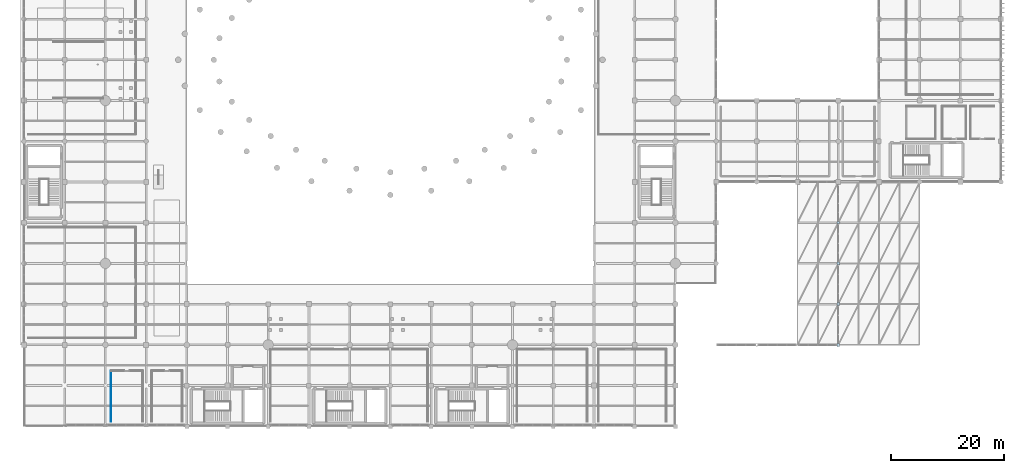
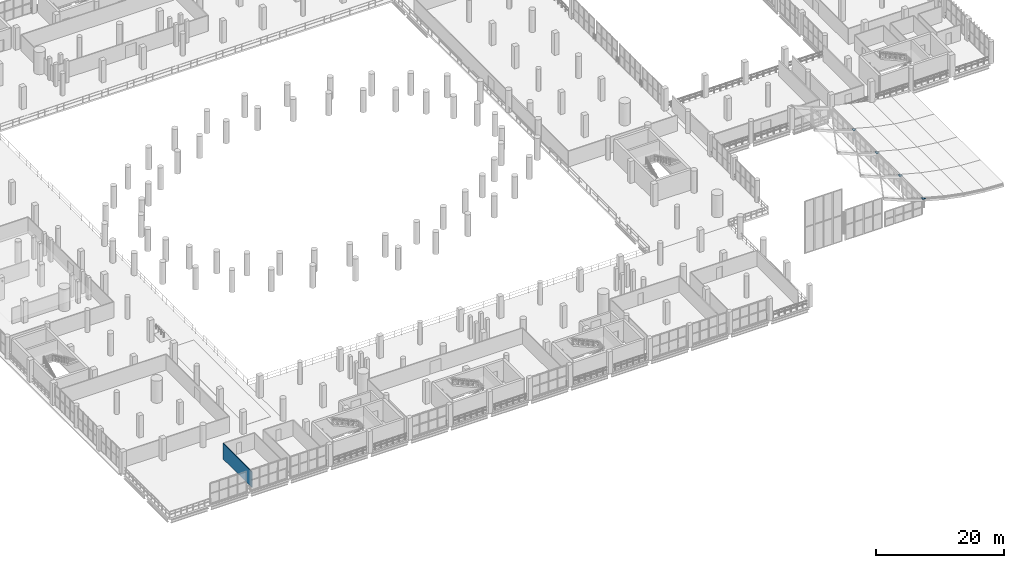
# One storey, part 130 of 153: 4 plates, 1 wall.
"""IFC4 building model written with IfcOpenShell, lengths in metres."""

from ifc_helpers import new_model, si_unit, direction, frame, frame_2d, origin, origin_2d, place, context, subcontext, project, spatial, rectangle, extrude, material, layer, layer_set, type_object, element, save


model = new_model("IFC4")

# Units and contexts
model_context = context("Model", 3, precision=1e-05, world=origin(), true_north=direction((0.0, 1.0)))
body_context = subcontext(model_context, "Body", "Model", "MODEL_VIEW")
ifc_project = project(units=[si_unit("LENGTHUNIT", "METRE"), si_unit("AREAUNIT", "SQUARE_METRE"), si_unit("VOLUMEUNIT", "CUBIC_METRE"), si_unit("PLANEANGLEUNIT", "RADIAN"), si_unit("MASSUNIT", "GRAM", prefix="KILO")], contexts=[model_context])

# Site, building, storey
site_placement = place(None, origin())
site = spatial("IfcSite", under=ifc_project, at=site_placement, CompositionType="ELEMENT")
building_placement = place(site_placement, origin())
building = spatial("IfcBuilding", under=site, at=building_placement, Name="Qandorah Velis Arena", CompositionType="ELEMENT")
storey_placement = place(building_placement, frame((0.0, 0.0, 5.39990234375)))
storey = spatial("IfcBuildingStorey", under=building, at=storey_placement, Name="L01", CompositionType="ELEMENT", Elevation=5.39990234375)

# Plates
ifc_material_1 = material(Name="Steel S355", Category="steel")
ifc_layer_1 = layer(ifc_material_1, 0.02490234375)
ifc_layer_set_1 = layer_set([ifc_layer_1], Name="Steel S355")
plate_type = type_object("IfcPlateType", Name="STR-PLT-GUS25", PredefinedType="SHEET", material=ifc_layer_set_1)
for number, where, z_axis, x_axis, name in (
    (1, (144.0, 14.39990234375, 1.706298828125), (0.0, 0.0, 1.0), (1.0, 0.0, 0.0), "Hollow column end cap plate L01-207"),
    (2, (144.0, 21.60009765625, 1.706298828125), (0.0, 0.0, 1.0), (1.0, 0.0, 0.0), "Hollow column end cap plate L01-208"),
    (3, (144.0, 28.800048828125, 1.706298828125), (0.0, 0.0, 1.0), (1.0, 0.0, 0.0), "Hollow column end cap plate L01-209"),
    (4, (144.0, 36.0, 1.706298828125), (0.0, 0.0, 1.0), (1.0, 0.0, 0.0), "Hollow column end cap plate L01-210"),
):
    element("IfcPlate", number, at=place(storey_placement, frame(where, z_axis=z_axis, x_axis=x_axis)), inside=storey, type_object=plate_type, Name=name, PredefinedType="SHEET", context=body_context, shape_type="SweptSolid", body=[
        extrude(rectangle(XDim=0.4970703125, YDim=0.4970703125, at=origin_2d()), origin(), (0.0, 0.0, 1.0), 0.02490234375),
    ])

# Wall
ifc_material_2 = material(Name="Concrete C35/45", Category="concrete")
ifc_layer_2 = layer(ifc_material_2, 0.14990234375)
ifc_layer_set_2 = layer_set([ifc_layer_2], Name="Concrete C35/45")
wall_type = type_object("IfcWallType", Name="ARC-WAL-PART150", PredefinedType="PARTITIONING", material=ifc_layer_set_2)
wall_placement = place(storey_placement, frame((15.39990234375, 9.800048828125, 0.0), z_axis=(0.0, 0.0, 1.0), x_axis=(0.0, -1.0, 0.0)))
element("IfcWall", 5, at=wall_placement, inside=storey, type_object=wall_type, Name="Interior partition L01-L01-MWC1 (W)", PredefinedType="PARTITIONING", context=body_context, shape_type="SweptSolid", body=[
    extrude(rectangle(XDim=9.0, YDim=0.14990234375, at=frame_2d((4.5, 0.0))), origin(), (0.0, 0.0, 1.0), 2.97998046875),
])

save(model, "model.ifc")
